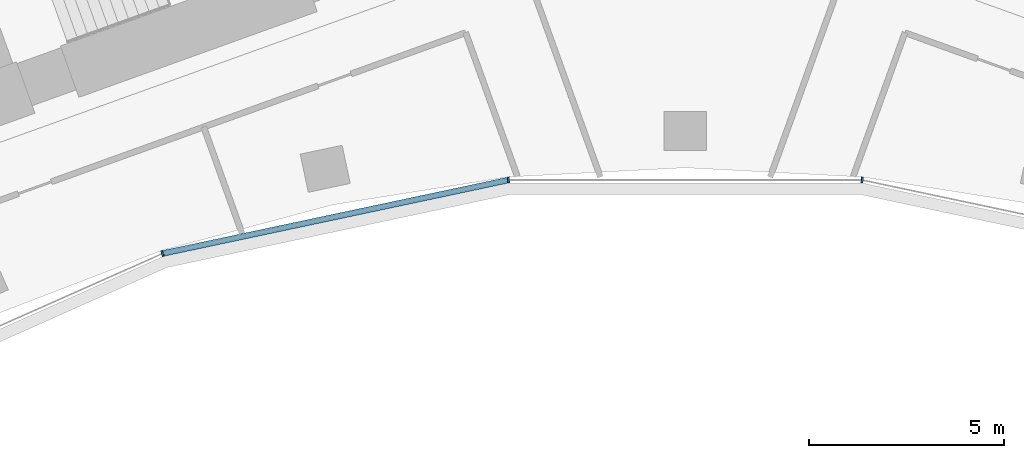
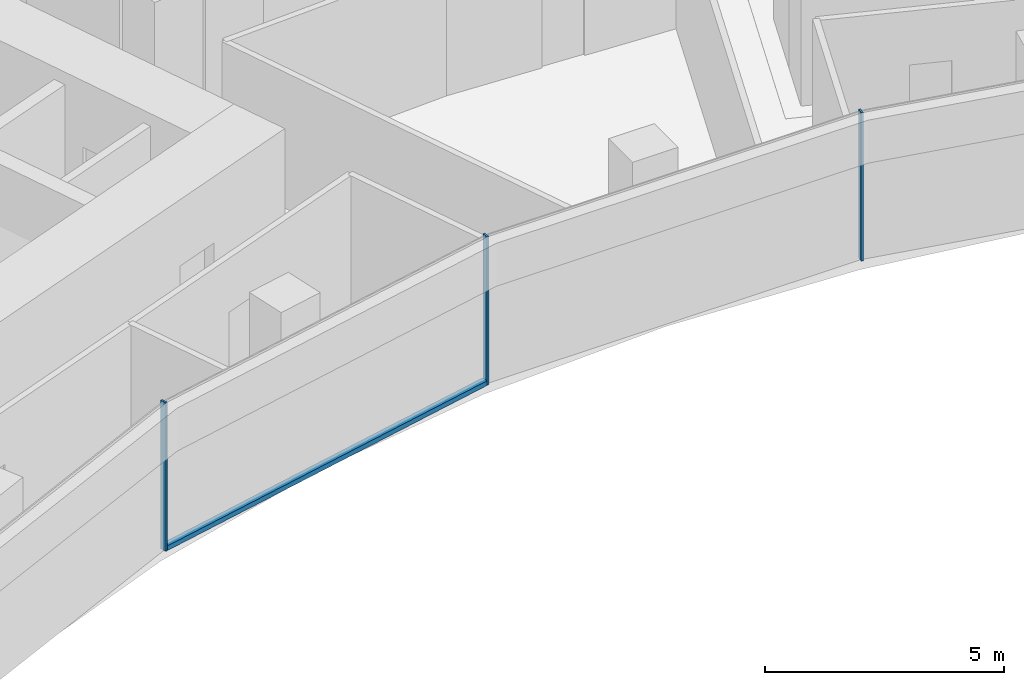
# One storey, part 5 of 20: 4 members, 1 element without a shape of its own.
"""IFC4 building model written with IfcOpenShell, lengths in metres."""

from ifc_helpers import new_model, si_unit, direction, frame, origin, origin_2d, place, context, subcontext, project, spatial, rectangle, extrude, material, layer, layer_set, material_profile, profile_set, type_object, element, aggregate, save


model = new_model("IFC4")

# Units and contexts
model_context = context("Model", 3, precision=1e-05, world=origin(), true_north=direction((0.0, 1.0)))
body_context = subcontext(model_context, "Body", "Model", "MODEL_VIEW")
ifc_project = project(units=[si_unit("LENGTHUNIT", "METRE"), si_unit("AREAUNIT", "SQUARE_METRE"), si_unit("VOLUMEUNIT", "CUBIC_METRE"), si_unit("PLANEANGLEUNIT", "RADIAN"), si_unit("MASSUNIT", "GRAM", prefix="KILO")], contexts=[model_context])

# Site, building, storey
site_placement = place(None, origin())
site = spatial("IfcSite", under=ifc_project, at=site_placement, CompositionType="ELEMENT")
building_placement = place(site_placement, origin())
building = spatial("IfcBuilding", under=site, at=building_placement, Name="Stone Belt Terrace Tower", CompositionType="ELEMENT")
storey_placement = place(building_placement, frame((0.0, 0.0, 170.60009765625)))
storey = spatial("IfcBuildingStorey", under=building, at=storey_placement, Name="L41", CompositionType="ELEMENT", Elevation=170.60009765625)

# Curtain wall, members
ifc_material = material(Name="Aluminium 6063-T6 anodised frame", Category="aluminium")
ifc_layer = layer(ifc_material, 0.14990234375)
ifc_layer_set = layer_set([ifc_layer], Name="CW-B unitised concave-face curtain wall")
curtain_wall_type = type_object("IfcCurtainWallType", Name="CW-B unitised concave-face curtain wall", PredefinedType="NOTDEFINED", material=ifc_layer_set)
curtain_wall_placement = place(storey_placement, origin())
curtain_wall = element("IfcCurtainWall", 1, at=curtain_wall_placement, inside=storey, type_object=curtain_wall_type, Name="CW-B concave face L41", PredefinedType="NOTDEFINED")
ifc_material_profile_1 = material_profile(ifc_material, rectangle(XDim=0.14990234375, YDim=0.050048828125, at=origin_2d()), Name="Aluminium 6063-T6 50x150")
ifc_profile_set_1 = profile_set([ifc_material_profile_1], Name="Aluminium 6063-T6 anodised frame")
member_type_1 = type_object("IfcMemberType", Name="CW-B mullion 50 x 150", PredefinedType="MULLION", material=ifc_profile_set_1)
member_1_placement = place(storey_placement, frame((-13.4189453125, 41.29931640625, 0.0), z_axis=(0.0, 0.0, 1.0), x_axis=(-0.309016994375, 0.951056516295, 0.0)))
member_1 = element("IfcMember", 2, at=member_1_placement, type_object=member_type_1, Name="CW-B mullion 4", PredefinedType="MULLION", context=body_context, shape_type="SweptSolid", body=[
    extrude(rectangle(XDim=0.14990234375, YDim=0.050048828125, at=origin_2d()), origin(), (0.0, 0.0, 1.0), 3.7998046875),
])
member_2_placement = place(storey_placement, frame((-4.5390625, 43.186767578125, 0.0), z_axis=(0.0, 0.0, 1.0), x_axis=(-0.104528463268, 0.994521895368, 0.0)))
member_2 = element("IfcMember", 3, at=member_2_placement, type_object=member_type_1, Name="CW-B mullion 5", PredefinedType="MULLION", context=body_context, shape_type="SweptSolid", body=[
    extrude(rectangle(XDim=0.14990234375, YDim=0.050048828125, at=origin_2d()), origin(), (0.0, 0.0, 1.0), 3.7998046875),
])
member_3_placement = place(storey_placement, frame((4.5390625, 43.186767578125, 0.0), z_axis=(0.0, 0.0, 1.0), x_axis=(0.104528463268, 0.994521895368, 0.0)))
member_3 = element("IfcMember", 4, at=member_3_placement, type_object=member_type_1, Name="CW-B mullion 6", PredefinedType="MULLION", context=body_context, shape_type="SweptSolid", body=[
    extrude(rectangle(XDim=0.14990234375, YDim=0.050048828125, at=origin_2d()), origin(), (0.0, 0.0, 1.0), 3.7998046875),
])
ifc_material_profile_2 = material_profile(ifc_material, rectangle(XDim=0.14990234375, YDim=0.1201171875, at=origin_2d()), Name="Aluminium 6063-T6 150x120")
ifc_profile_set_2 = profile_set([ifc_material_profile_2], Name="Aluminium 6063-T6 anodised frame")
member_type_2 = type_object("IfcMemberType", Name="CW-B transom 120 x 150", PredefinedType="USERDEFINED", material=ifc_profile_set_2)
member_4_placement = place(storey_placement, frame((-13.386962890625, 41.30615234375, 0.059814453125), z_axis=(0.9781499003, 0.207900871914, 0.0), x_axis=(-0.207900871914, 0.9781499003, 0.0)))
member_4 = element("IfcMember", 5, at=member_4_placement, type_object=member_type_2, Name="CW-B transom 4.1", ObjectType="TRANSOM", PredefinedType="USERDEFINED", context=body_context, shape_type="SweptSolid", body=[
    extrude(rectangle(XDim=0.14990234375, YDim=0.1201171875, at=origin_2d()), origin(), (0.0, 0.0, 1.0), 9.012939453125),
])
aggregate(curtain_wall, [member_1, member_2, member_3, member_4])

save(model, "model.ifc")
